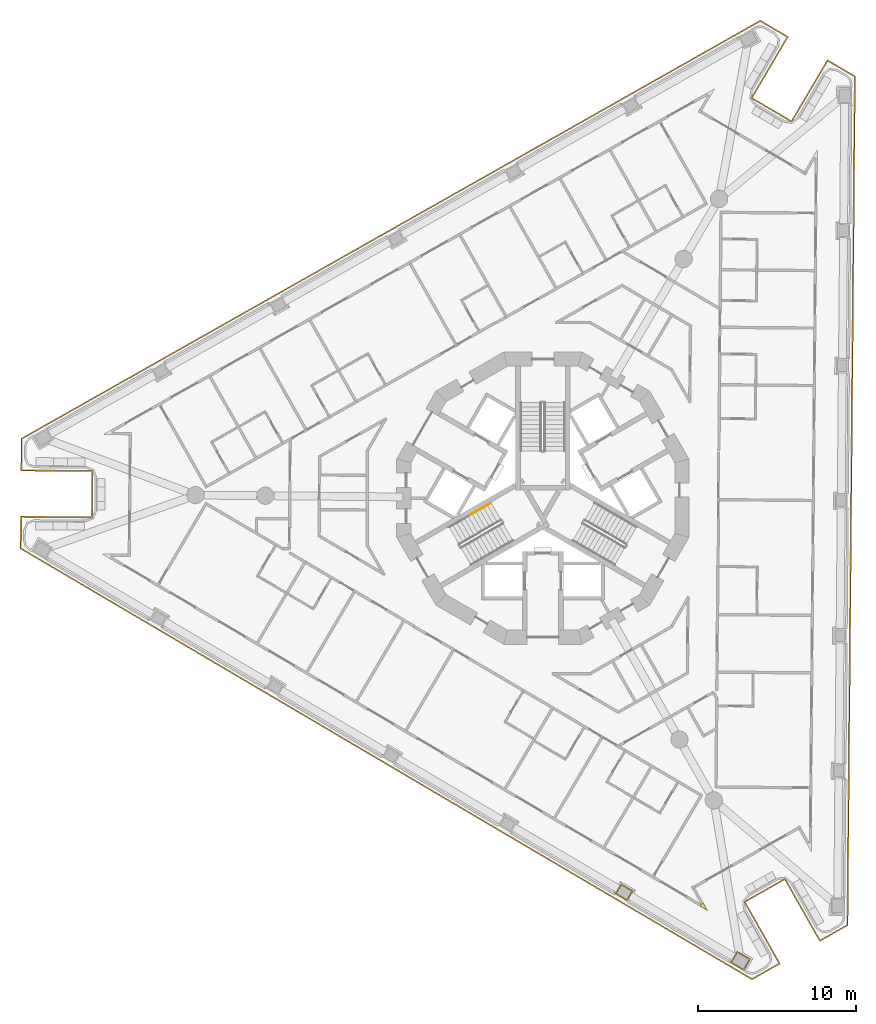
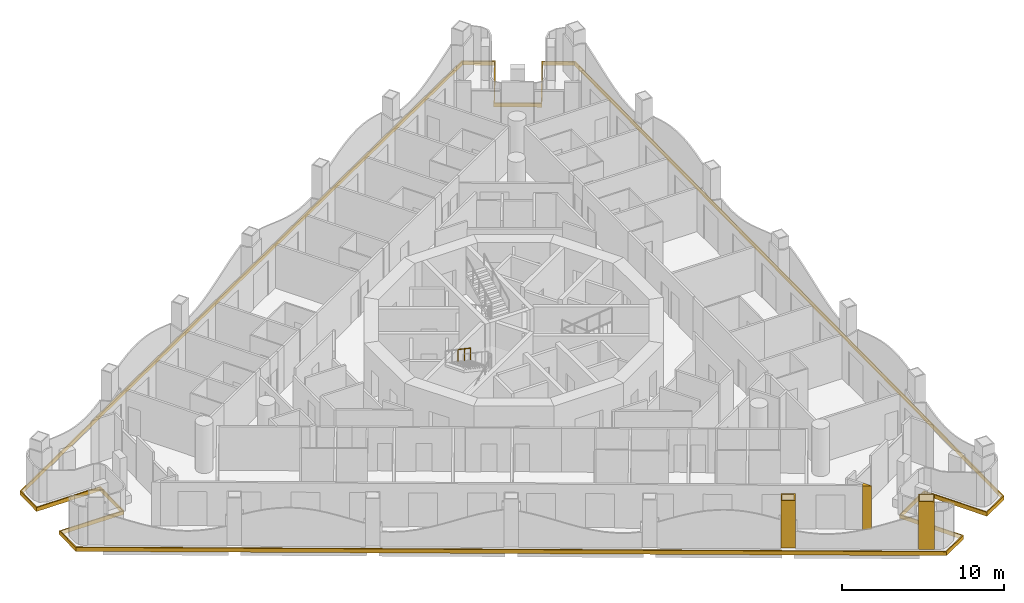
# One storey, part 14 of 18: 4 coverings, 1 railing.
"""IFC4 building model written with IfcOpenShell, lengths in metres."""

from ifc_helpers import new_model, si_unit, direction, frame, origin, origin_2d, place, context, subcontext, project, spatial, polyline, circle, outline, extrude, material, layer, layer_set, type_object, element, save


model = new_model("IFC4")

# Units and contexts
model_context = context("Model", 3, precision=1e-05, world=origin(), true_north=direction((0.0, 1.0)))
body_context = subcontext(model_context, "Body", "Model", "MODEL_VIEW")
ifc_project = project(units=[si_unit("LENGTHUNIT", "METRE"), si_unit("AREAUNIT", "SQUARE_METRE"), si_unit("VOLUMEUNIT", "CUBIC_METRE"), si_unit("PLANEANGLEUNIT", "RADIAN"), si_unit("MASSUNIT", "GRAM", prefix="KILO")], contexts=[model_context])

# Site, building, storey
site_placement = place(None, origin())
site = spatial("IfcSite", under=ifc_project, at=site_placement, CompositionType="ELEMENT")
building_placement = place(site_placement, origin())
building = spatial("IfcBuilding", under=site, at=building_placement, Name="Trine Commons Tower", CompositionType="ELEMENT")
storey_placement = place(building_placement, frame((0.0, 0.0, 171.89990234375)))
storey = spatial("IfcBuildingStorey", under=building, at=storey_placement, Name="L44", CompositionType="ELEMENT", Elevation=171.89990234375)

# Coverings
ifc_material_1 = material(Name="Aluminium-framed insulated wall panel", Category="aluminium")
ifc_layer_1 = layer(ifc_material_1, 0.14990234375)
ifc_layer_set_1 = layer_set([ifc_layer_1], Name="Aluminium-framed insulated wall panel")
covering_type_1 = type_object("IfcCoveringType", Name="Glazing corner post, aluminium", PredefinedType="CLADDING", material=ifc_layer_set_1)
covering_1_placement = place(storey_placement, origin())
element("IfcCovering", 1, at=covering_1_placement, inside=storey, type_object=covering_type_1, Name="Glazing corner post 5-12", PredefinedType="CLADDING", context=body_context, shape_type="SweptSolid", body=[
    extrude(outline(polyline([(89.97265625, 36.6083984375), (90.455078125, 36.32421875), (90.179443359375, 36.811279296875), (90.048828125, 36.737548828125), (89.97265625, 36.6083984375)])), origin(), (0.0, 0.0, 1.0), 3.300048828125),
])
ifc_material_2 = material(Name="Limestone, honed", Category="masonry")
ifc_layer_2 = layer(ifc_material_2, 0.074951171875)
ifc_layer_set_2 = layer_set([ifc_layer_2], Name="Limestone, honed")
covering_type_2 = type_object("IfcCoveringType", Name="Limestone column cladding 75", PredefinedType="CLADDING", material=ifc_layer_set_2)
covering_2_placement = place(storey_placement, origin())
element("IfcCovering", 2, at=covering_2_placement, inside=storey, type_object=covering_type_2, Name="Limestone pier cladding 5-01", PredefinedType="CLADDING", context=body_context, shape_type="SweptSolid", body=[
    extrude(outline(polyline([(92.327392578125, 33.753173828125), (91.89599609375, 33.020751953125), (92.757568359375, 32.51318359375), (93.18896484375, 33.24560546875), (92.327392578125, 33.753173828125)]), holes=[polyline([(92.35400390625, 33.650390625), (91.998779296875, 33.047119140625), (92.731201171875, 32.61572265625), (93.086181640625, 33.218994140625), (92.35400390625, 33.650390625)])]), origin(), (0.0, 0.0, 1.0), 3.60009765625),
])
covering_3_placement = place(storey_placement, origin())
element("IfcCovering", 3, at=covering_3_placement, inside=storey, type_object=covering_type_2, Name="Limestone pier cladding 5-02", PredefinedType="CLADDING", context=body_context, shape_type="SweptSolid", body=[
    extrude(outline(polyline([(84.96044921875, 38.03466796875), (84.57958984375, 37.388427734375), (85.355224609375, 36.931640625), (85.73583984375, 37.577880859375), (84.96044921875, 38.03466796875)]), holes=[polyline([(84.987060546875, 37.931884765625), (84.682373046875, 37.414794921875), (85.32861328125, 37.0341796875), (85.63330078125, 37.55126953125), (84.987060546875, 37.931884765625)])]), origin(), (0.0, 0.0, 1.0), 3.60009765625),
])
ifc_layer_3 = layer(ifc_material_2, 0.074951171875)
ifc_layer_set_3 = layer_set([ifc_layer_3], Name="Limestone, honed")
covering_type_3 = type_object("IfcCoveringType", Name="Limestone spandrel panel 75", PredefinedType="CLADDING", material=ifc_layer_set_3)
covering_4_placement = place(storey_placement, frame((0.0, 0.0, -0.2998046875)))
element("IfcCovering", 4, at=covering_4_placement, inside=storey, type_object=covering_type_3, Name="Limestone spandrel panel 5-01", PredefinedType="CLADDING", context=body_context, shape_type="SweptSolid", body=[
    extrude(outline(polyline([(95.34814453125, 38.26611328125), (97.564208984375, 34.349365234375), (99.376708984375, 35.374755859375), (99.846923828125, 89.282958984375), (98.052734375, 90.33984375), (95.768798828125, 86.46240234375), (93.313232421875, 87.908935546875), (95.59716796875, 91.786376953125), (93.802734375, 92.84326171875), (46.8818359375, 66.296630859375), (46.863525390625, 64.214111328125), (51.363525390625, 64.175048828125), (51.338623046875, 61.3251953125), (46.8388671875, 61.3642578125), (46.820556640625, 59.281982421875), (93.271240234375, 31.92041015625), (95.08349609375, 32.94580078125), (92.86767578125, 36.862548828125), (95.34814453125, 38.26611328125)]), holes=[polyline([(98.079345703125, 90.237060546875), (99.771484375, 89.240234375), (99.302001953125, 35.418701171875), (97.592529296875, 34.45166015625), (95.376708984375, 38.3681640625), (92.765380859375, 36.890869140625), (94.9814453125, 32.974365234375), (93.27197265625, 32.007080078125), (46.89599609375, 59.32470703125), (46.9130859375, 61.288818359375), (51.412841796875, 61.24951171875), (51.439208984375, 64.249267578125), (46.939208984375, 64.28857421875), (46.956298828125, 66.252685546875), (93.802001953125, 92.756591796875), (95.494384765625, 91.759765625), (93.21044921875, 87.88232421875), (95.79541015625, 86.35986328125), (98.079345703125, 90.237060546875)])]), origin(), (0.0, 0.0, 1.0), 0.2998046875),
])

# Railing
ifc_material_3 = material(Name="Stainless steel handrail", Category="steel")
railing_type = type_object("IfcRailingType", Name="Stair handrail, steel 900", PredefinedType="HANDRAIL", material=ifc_material_3)
railing_placement = place(storey_placement, frame((76.72265625, 62.195556640625, 1.9501953125)))
element("IfcRailing", 5, at=railing_placement, inside=storey, type_object=railing_type, Name="L44 ST2B stair handrail 3", PredefinedType="HANDRAIL", context=body_context, shape_type="SweptSolid", body=[
    extrude(circle(Radius=0.02099609375, at=origin_2d()), frame((0.0, 0.0, 0.87890625), z_axis=(-0.76340495495, -0.440743040072, 0.472184759798), x_axis=(0.499992328818, -0.866029832698, 0.0)), (0.0, 0.0, 1.0), 1.7470703125),
    extrude(circle(Radius=0.01513671875, at=origin_2d()), origin(), (0.0, 0.0, 1.0), 0.85791015625),
    extrude(circle(Radius=0.01513671875, at=origin_2d()), frame((-0.6669921875, -0.385009765625, 0.41259765625)), (0.0, 0.0, 1.0), 0.85791015625),
    extrude(circle(Radius=0.01513671875, at=origin_2d()), frame((-1.333740234375, -0.77001953125, 0.824951171875)), (0.0, 0.0, 1.0), 0.85791015625),
])

save(model, "model.ifc")
